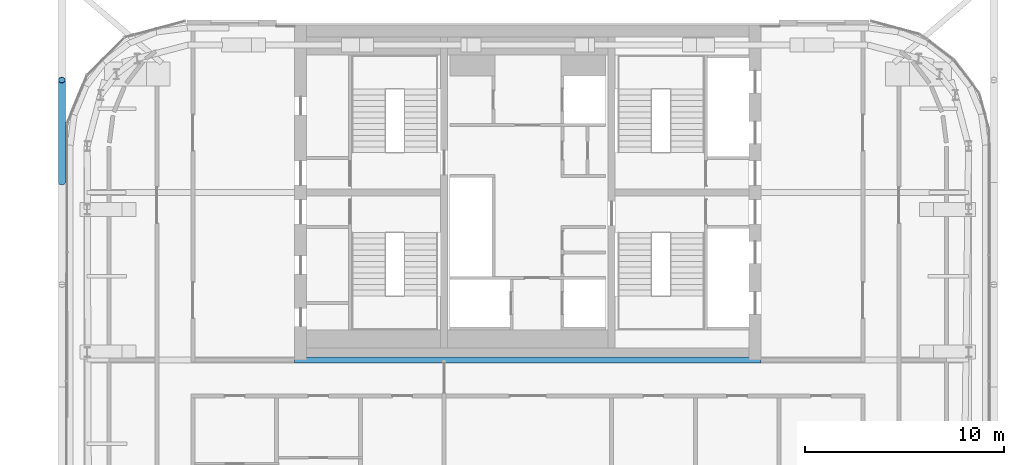
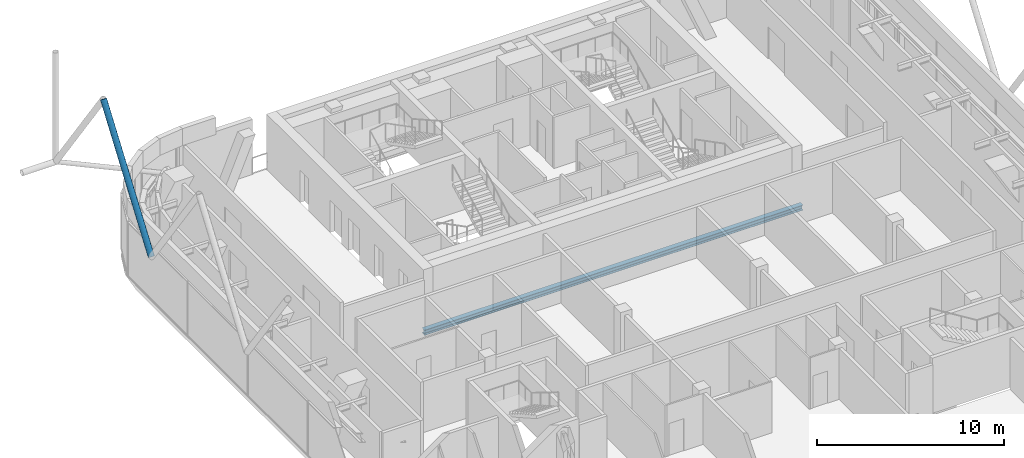
# One storey, part 9 of 25: 1 beam, 1 member.
"""IFC4 building model written with IfcOpenShell, lengths in metres."""

from ifc_helpers import new_model, si_unit, direction, frame, origin, origin_2d, place, context, subcontext, project, spatial, hollow_circle, i_section, extrude, material, material_profile, profile_set, type_object, element, save


model = new_model("IFC4")

# Units and contexts
model_context = context("Model", 3, precision=1e-05, world=origin(), true_north=direction((0.0, 1.0)))
body_context = subcontext(model_context, "Body", "Model", "MODEL_VIEW")
ifc_project = project(units=[si_unit("LENGTHUNIT", "METRE"), si_unit("AREAUNIT", "SQUARE_METRE"), si_unit("VOLUMEUNIT", "CUBIC_METRE"), si_unit("PLANEANGLEUNIT", "RADIAN"), si_unit("MASSUNIT", "GRAM", prefix="KILO")], contexts=[model_context])

# Site, building, storey
site_placement = place(None, origin())
site = spatial("IfcSite", under=ifc_project, at=site_placement, CompositionType="ELEMENT")
building_placement = place(site_placement, origin())
building = spatial("IfcBuilding", under=site, at=building_placement, Name="Marenta Gate Hotel Tower", CompositionType="ELEMENT")
storey_placement = place(building_placement, frame((0.0, 0.0, 277.699951171875)))
storey = spatial("IfcBuildingStorey", under=building, at=storey_placement, Name="L64", CompositionType="ELEMENT", Elevation=277.699951171875)

# Member
ifc_material_1 = material(Name="Steel S355J2W", Category="steel")
ifc_material_profile_1 = material_profile(ifc_material_1, hollow_circle(Radius=0.177734375, WallThickness=0.01611328125, at=origin_2d()), Name="CHS 355.6x16")
ifc_profile_set_1 = profile_set([ifc_material_profile_1], Name="Steel S355J2W")
member_type = type_object("IfcMemberType", Name="Diagrid diagonal C CHS 355.6x16", PredefinedType="BRACE", material=ifc_profile_set_1)
member_placement = place(storey_placement, frame((-23.3701171875, 8.911376953125, 3.14013671875), z_axis=(0.0, 0.580231970533, 0.81445126335), x_axis=(-1.0, 0.0, 0.0)))
element("IfcMember", 1, at=member_placement, inside=storey, type_object=member_type, Name="L64-DG-33", PredefinedType="BRACE", context=body_context, shape_type="SweptSolid", body=[
    extrude(hollow_circle(Radius=0.177734375, WallThickness=0.01611328125, at=origin_2d()), origin(), (0.0, 0.0, 1.0), 8.84033203125),
])

# Beam
ifc_material_2 = material(Name="Steel S355", Category="steel")
ifc_material_profile_2 = material_profile(ifc_material_2, i_section(OverallWidth=0.300048828125, OverallDepth=0.340087890625, WebThickness=0.011962890625, FlangeThickness=0.021484375, FilletRadius=0.027099609375, at=origin_2d()), Name="HEB 340")
ifc_profile_set_2 = profile_set([ifc_material_profile_2], Name="Steel S355")
beam_type = type_object("IfcBeamType", Name="Girder HEB 340", PredefinedType="BEAM", material=ifc_profile_set_2)
beam_placement = place(storey_placement, frame((-11.699951171875, 0.0, -0.429931640625), z_axis=(1.0, 0.0, 0.0), x_axis=(0.0, 1.0, 0.0)))
element("IfcBeam", 2, at=beam_placement, inside=storey, type_object=beam_type, Name="L64-GD-17", PredefinedType="BEAM", context=body_context, shape_type="SweptSolid", body=[
    extrude(i_section(OverallWidth=0.300048828125, OverallDepth=0.340087890625, WebThickness=0.011962890625, FlangeThickness=0.021484375, FilletRadius=0.027099609375, at=origin_2d()), origin(), (0.0, 0.0, 1.0), 23.39990234375),
])

save(model, "model.ifc")
